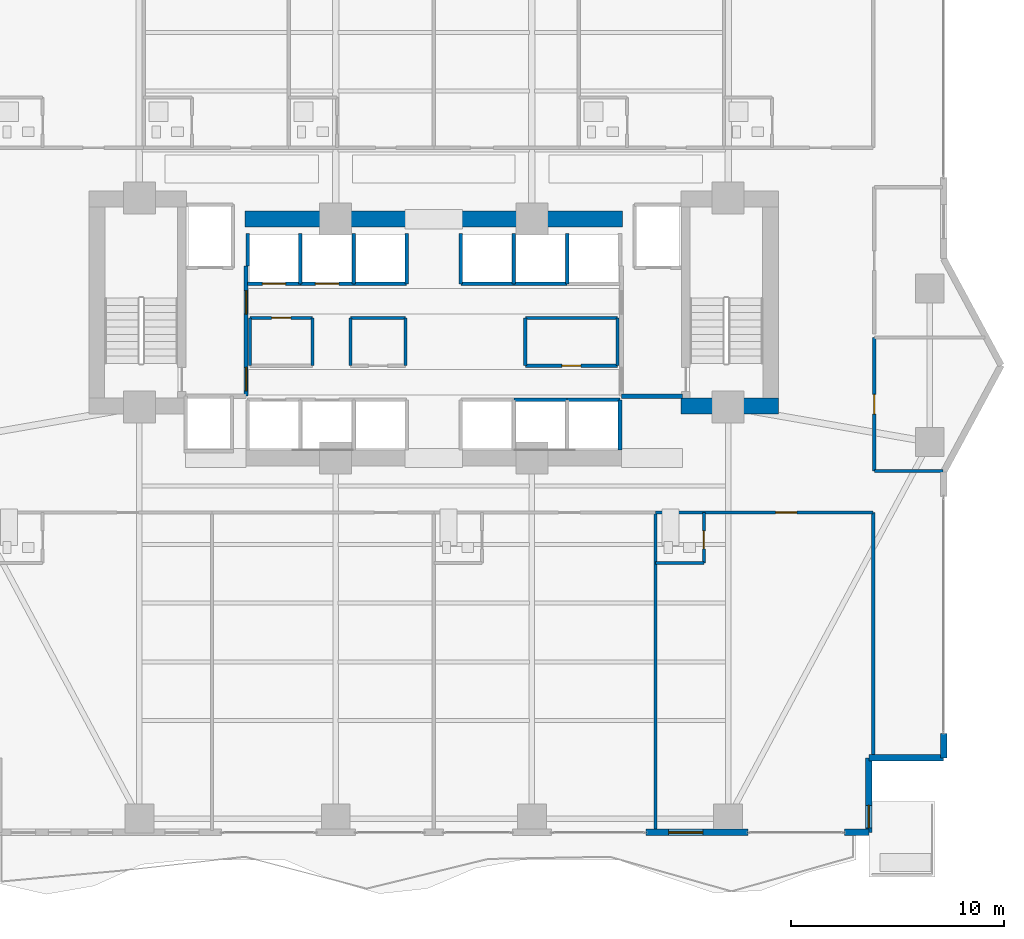
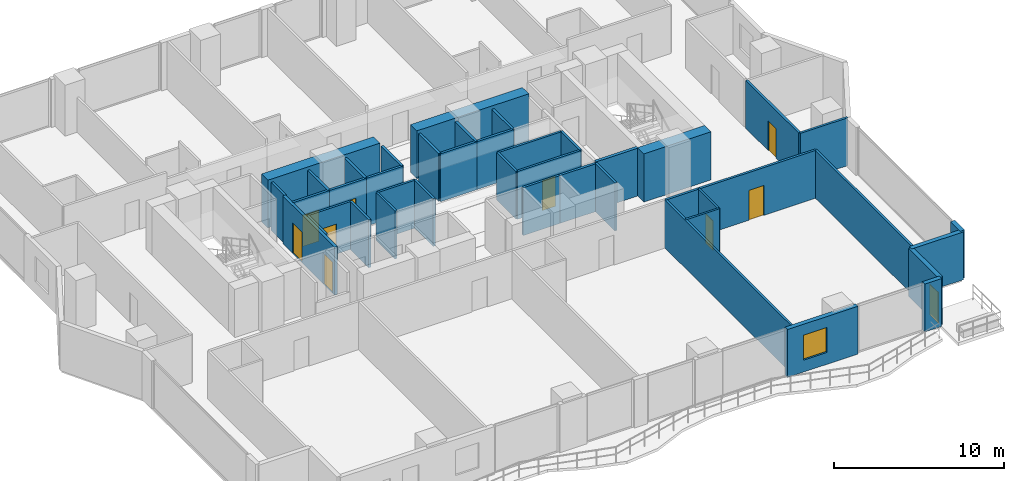
# One storey, part 22 of 29: 42 walls, 10 doors, 1 window, 11 openings.
"""IFC4 building model written with IfcOpenShell, lengths in metres."""

from ifc_helpers import new_model, si_unit, direction, frame, frame_2d, origin, place, context, subcontext, project, spatial, rectangle, extrude, material, layer, layer_set, type_object, element, fill, save


model = new_model("IFC4")

# Units and contexts
model_context = context("Model", 3, precision=1e-05, world=origin(), true_north=direction((0.0, 1.0)))
body_context = subcontext(model_context, "Body", "Model", "MODEL_VIEW")
ifc_project = project(units=[si_unit("LENGTHUNIT", "METRE"), si_unit("AREAUNIT", "SQUARE_METRE"), si_unit("VOLUMEUNIT", "CUBIC_METRE"), si_unit("PLANEANGLEUNIT", "RADIAN"), si_unit("MASSUNIT", "GRAM", prefix="KILO")], contexts=[model_context])

# Site, building, storey
site_placement = place(None, origin())
site = spatial("IfcSite", under=ifc_project, at=site_placement, CompositionType="ELEMENT")
building_placement = place(site_placement, origin())
building = spatial("IfcBuilding", under=site, at=building_placement, Name="Zuhayl Quay Hotel", CompositionType="ELEMENT")
storey_placement = place(building_placement, frame((0.0, 0.0, 132.14990234375)))
storey = spatial("IfcBuildingStorey", under=building, at=storey_placement, Name="L33", CompositionType="ELEMENT", Elevation=132.14990234375)

# Walls
ifc_material_1 = material(Name="Concrete C60/75", Category="concrete")
ifc_layer_1 = layer(ifc_material_1, 0.75, Name="Concrete C60/75", Category="concrete")
ifc_layer_set_1 = layer_set([ifc_layer_1], Name="Concrete C60/75")
wall_type_1 = type_object("IfcWallType", Name="WL_CORE_750", PredefinedType="SHEAR", material=ifc_layer_set_1)
wall_1_placement = place(storey_placement, frame((11.60009765625, 4.594970703125, 0.0), z_axis=(0.0, 0.0, 1.0), x_axis=(1.0, 0.0, 0.0)))
element("IfcWall", 1, at=wall_1_placement, inside=storey, type_object=wall_type_1, Name="L33 Core Shear Wall CW_SE", PredefinedType="SHEAR", context=body_context, shape_type="SweptSolid", body=[
    extrude(rectangle(XDim=4.559814453125, YDim=0.75, at=frame_2d((2.27978515625, 0.0))), origin(), (0.0, 0.0, 1.0), 3.460205078125),
])
for number, where, z_axis, x_axis, name in (
    (2, (-8.85009765625, 13.35009765625, 0.0), (0.0, 0.0, 1.0), (1.0, 0.0, 0.0), "L33 Core Shear Wall CW_NC_W"),
    (3, (1.25, 13.35009765625, 0.0), (0.0, 0.0, 1.0), (1.0, 0.0, 0.0), "L33 Core Shear Wall CW_NC_E"),
):
    element("IfcWall", number, at=place(storey_placement, frame(where, z_axis=z_axis, x_axis=x_axis)), inside=storey, type_object=wall_type_1, Name=name, PredefinedType="SHEAR", context=body_context, shape_type="SweptSolid", body=[
        extrude(rectangle(XDim=7.60009765625, YDim=0.75, at=frame_2d((3.800048828125, 0.0))), origin(), (0.0, 0.0, 1.0), 3.43017578125),
    ])
ifc_material_2 = material(Name="Precast concrete C45/55", Category="concrete")
ifc_layer_2 = layer(ifc_material_2, 0.300048828125, Name="Precast concrete C45/55", Category="concrete")
ifc_layer_set_2 = layer_set([ifc_layer_2], Name="Precast concrete C45/55")
wall_type_2 = type_object("IfcWallType", Name="WL_EXT_300", PredefinedType="STANDARD", material=ifc_layer_set_2)
wall_2_placement = place(storey_placement, frame((23.89990234375, -10.75, 0.0), z_axis=(0.0, 0.0, 1.0), x_axis=(0.0, -1.0, 0.0)))
element("IfcWall", 4, at=wall_2_placement, inside=storey, type_object=wall_type_2, Name="L33 Exterior Precast Wall ENV_L33_E14_EW2", PredefinedType="STANDARD", context=body_context, shape_type="SweptSolid", body=[
    extrude(rectangle(XDim=1.14990234375, YDim=0.300048828125, at=frame_2d((0.574951171875, 0.0))), origin(), (0.0, 0.0, 1.0), 3.43017578125),
])
wall_3_placement = place(storey_placement, frame((23.89990234375, -11.89990234375, 0.0), z_axis=(0.0, 0.0, 1.0), x_axis=(-1.0, 0.0, 0.0)))
element("IfcWall", 5, at=wall_3_placement, inside=storey, type_object=wall_type_2, Name="L33 Exterior Precast Wall ENV_L33_EW15", PredefinedType="STANDARD", context=body_context, shape_type="SweptSolid", body=[
    extrude(rectangle(XDim=3.5, YDim=0.300048828125, at=frame_2d((1.75, 0.0))), origin(), (0.0, 0.0, 1.0), 3.43017578125),
])

# Wall, opening, door
wall_4_placement = place(storey_placement, frame((20.39990234375, -11.89990234375, 0.0), z_axis=(0.0, 0.0, 1.0), x_axis=(0.0, -1.0, 0.0)))
wall_4 = element("IfcWall", 6, at=wall_4_placement, inside=storey, type_object=wall_type_2, Name="L33 Exterior Precast Wall ENV_L33_SP_SE", PredefinedType="STANDARD", context=body_context, shape_type="SweptSolid", body=[
    extrude(rectangle(XDim=3.5, YDim=0.300048828125, at=frame_2d((1.75, 0.0))), origin(), (0.0, 0.0, 1.0), 3.43017578125),
])
opening_1_placement = place(wall_4_placement, frame((2.22998046875, 0.0, 0.0)))
opening_1 = element("IfcOpeningElement", 7, at=opening_1_placement, cuts=wall_4, Name="Opening DG1", PredefinedType="OPENING", context=body_context, shape_type="SweptSolid", body=[
    extrude(rectangle(XDim=1.050048828125, YDim=2.199951171875, at=frame_2d((0.52490234375, 1.10009765625))), frame((0.0, 0.159912109375, 0.0), z_axis=(0.0, -1.0, 0.0), x_axis=(1.0, 0.0, 0.0)), (0.0, 0.0, 1.0), 0.320068359375),
])
ifc_material_3 = material(Name="Anodised Aluminium and Dark Solar Glass", Category="aluminium")
door_type_1 = type_object("IfcDoorType", Name="DR_EXT_TERR_1050", OperationType="NOTDEFINED", PredefinedType="DOOR", material=ifc_material_3)
door_1_placement = place(opening_1_placement, origin())
door_1 = element("IfcDoor", 8, at=door_1_placement, inside=storey, type_object=door_type_1, Name="L33 Spiral Sky-Terrace SE Access Door", OperationType="SINGLE_SWING_LEFT", OverallHeight=2.199951171875, OverallWidth=1.050048828125, PredefinedType="DOOR", context=body_context, shape_type="SweptSolid", body=[
    extrude(rectangle(XDim=1.050048828125, YDim=2.199951171875, at=frame_2d((0.52490234375, 1.10009765625))), frame((0.0, 0.02490234375, 0.0), z_axis=(0.0, -1.0, 0.0), x_axis=(1.0, 0.0, 0.0)), (0.0, 0.0, 1.0), 0.050048828125),
])
fill(opening_1, door_1)

# Wall
wall_5_placement = place(storey_placement, frame((20.39990234375, -15.39990234375, 0.0), z_axis=(0.0, 0.0, 1.0), x_axis=(-1.0, 0.0, 0.0)))
element("IfcWall", 9, at=wall_5_placement, inside=storey, type_object=wall_type_2, Name="L33 Exterior Precast Wall ENV_L33_S_EW1", PredefinedType="STANDARD", context=body_context, shape_type="SweptSolid", body=[
    extrude(rectangle(XDim=1.14990234375, YDim=0.300048828125, at=frame_2d((0.574951171875, 0.0))), origin(), (0.0, 0.0, 1.0), 3.43017578125),
])

# Wall, opening, window
wall_6_placement = place(storey_placement, frame((14.719970703125, -15.39990234375, 0.0), z_axis=(0.0, 0.0, 1.0), x_axis=(-1.0, 0.0, 0.0)))
wall_6 = element("IfcWall", 10, at=wall_6_placement, inside=storey, type_object=wall_type_2, Name="L33 Exterior Precast Wall ENV_L33_S_EW2", PredefinedType="STANDARD", context=body_context, shape_type="SweptSolid", body=[
    extrude(rectangle(XDim=4.77001953125, YDim=0.300048828125, at=frame_2d((2.385009765625, 0.0))), origin(), (0.0, 0.0, 1.0), 3.43017578125),
])
opening_2_placement = place(wall_6_placement, frame((2.110107421875, 0.0, 0.85009765625)))
opening_2 = element("IfcOpeningElement", 11, at=opening_2_placement, cuts=wall_6, Name="Opening W01", PredefinedType="OPENING", context=body_context, shape_type="SweptSolid", body=[
    extrude(rectangle(XDim=1.60009765625, YDim=1.800048828125, at=frame_2d((0.800048828125, 0.89990234375))), frame((0.0, 0.159912109375, 0.0), z_axis=(0.0, -1.0, 0.0), x_axis=(1.0, 0.0, 0.0)), (0.0, 0.0, 1.0), 0.320068359375),
])
ifc_material_4 = material(Name="Dark Ceramic-Fritted Solar Glass", Category="glass")
window_type = type_object("IfcWindowType", Name="WN_OPERABLE_1600", PartitioningType="DOUBLE_PANEL_VERTICAL", PredefinedType="WINDOW", material=ifc_material_4)
window_placement = place(opening_2_placement, origin())
window = element("IfcWindow", 12, at=window_placement, inside=storey, type_object=window_type, Name="L33 Operable Facade Window 2-1", OverallHeight=1.800048828125, OverallWidth=1.60009765625, PartitioningType="SINGLE_PANEL", PredefinedType="WINDOW", context=body_context, shape_type="SweptSolid", body=[
    extrude(rectangle(XDim=1.60009765625, YDim=1.800048828125, at=frame_2d((0.800048828125, 0.89990234375))), frame((0.0, 0.030029296875, 0.0), z_axis=(0.0, -1.0, 0.0), x_axis=(1.0, 0.0, 0.0)), (0.0, 0.0, 1.0), 0.06005859375),
])
fill(opening_2, window)

# Wall, opening, door
ifc_material_5 = material(Name="Acoustic Gypsum Partition STC-58")
ifc_layer_3 = layer(ifc_material_5, 0.14990234375, Name="Acoustic Gypsum Partition STC-58")
ifc_layer_set_3 = layer_set([ifc_layer_3], Name="Acoustic Gypsum Partition STC-58")
wall_type_3 = type_object("IfcWallType", Name="WL_PART_150", PredefinedType="PARTITIONING", material=ifc_layer_set_3)
wall_7_placement = place(storey_placement, frame((-8.610107421875, 8.719970703125, 0.0), z_axis=(0.0, 0.0, 1.0), x_axis=(1.0, 0.0, 0.0)))
wall_7 = element("IfcWall", 13, at=wall_7_placement, inside=storey, type_object=wall_type_3, Name="L33 Partition IW_L33_CORE_HK_N", PredefinedType="PARTITIONING", context=body_context, shape_type="SweptSolid", body=[
    extrude(rectangle(XDim=2.920166015625, YDim=0.14990234375, at=frame_2d((1.4599609375, 0.0))), origin(), (0.0, 0.0, 1.0), 3.43017578125),
])
opening_3_placement = place(wall_7_placement, frame((1.010009765625, 0.0, 0.0)))
opening_3 = element("IfcOpeningElement", 14, at=opening_3_placement, cuts=wall_7, Name="Opening D06", PredefinedType="OPENING", context=body_context, shape_type="SweptSolid", body=[
    extrude(rectangle(XDim=0.89990234375, YDim=2.14990234375, at=frame_2d((0.449951171875, 1.074951171875))), frame((0.0, 0.0849609375, 0.0), z_axis=(0.0, -1.0, 0.0), x_axis=(1.0, 0.0, 0.0)), (0.0, 0.0, 1.0), 0.169921875),
])
ifc_material_6 = material(Name="Steel ASTM A992 Grade 50", Category="steel")
door_type_2 = type_object("IfcDoorType", Name="DR_INT_900", OperationType="NOTDEFINED", PredefinedType="DOOR", material=ifc_material_6)
door_2_placement = place(opening_3_placement, origin())
door_2 = element("IfcDoor", 15, at=door_2_placement, inside=storey, type_object=door_type_2, Name="L33 Core Housekeeping Store Door", OperationType="SINGLE_SWING_RIGHT", OverallHeight=2.14990234375, OverallWidth=0.89990234375, PredefinedType="DOOR", context=body_context, shape_type="SweptSolid", body=[
    extrude(rectangle(XDim=0.89990234375, YDim=2.14990234375, at=frame_2d((0.449951171875, 1.074951171875))), frame((0.0, 0.02490234375, 0.0), z_axis=(0.0, -1.0, 0.0), x_axis=(1.0, 0.0, 0.0)), (0.0, 0.0, 1.0), 0.050048828125),
])
fill(opening_3, door_2)

wall_8_placement = place(storey_placement, frame((4.2900390625, 6.47998046875, 0.0), z_axis=(0.0, 0.0, 1.0), x_axis=(1.0, 0.0, 0.0)))
wall_8 = element("IfcWall", 16, at=wall_8_placement, inside=storey, type_object=wall_type_3, Name="L33 Partition IW_L33_CORE_VL_S", PredefinedType="PARTITIONING", context=body_context, shape_type="SweptSolid", body=[
    extrude(rectangle(XDim=4.320068359375, YDim=0.14990234375, at=frame_2d((2.16015625, 0.0))), origin(), (0.0, 0.0, 1.0), 3.43017578125),
])
opening_4_placement = place(wall_8_placement, frame((1.7099609375, 0.0, 0.0)))
opening_4 = element("IfcOpeningElement", 17, at=opening_4_placement, cuts=wall_8, Name="Opening D06", PredefinedType="OPENING", context=body_context, shape_type="SweptSolid", body=[
    extrude(rectangle(XDim=0.89990234375, YDim=2.14990234375, at=frame_2d((0.449951171875, 1.074951171875))), frame((0.0, 0.0849609375, 0.0), z_axis=(0.0, -1.0, 0.0), x_axis=(1.0, 0.0, 0.0)), (0.0, 0.0, 1.0), 0.169921875),
])
door_3_placement = place(opening_4_placement, origin())
door_3 = element("IfcDoor", 18, at=door_3_placement, inside=storey, type_object=door_type_2, Name="L33 Floor Valet Store Door", OperationType="SINGLE_SWING_RIGHT", OverallHeight=2.14990234375, OverallWidth=0.89990234375, PredefinedType="DOOR", context=body_context, shape_type="SweptSolid", body=[
    extrude(rectangle(XDim=0.89990234375, YDim=2.14990234375, at=frame_2d((0.449951171875, 1.074951171875))), frame((0.0, 0.02490234375, 0.0), z_axis=(0.0, -1.0, 0.0), x_axis=(1.0, 0.0, 0.0)), (0.0, 0.0, 1.0), 0.050048828125),
])
fill(opening_4, door_3)

# Walls
for number, where, z_axis, x_axis, name in (
    (19, (-8.610107421875, 6.47998046875, 0.0), (0.0, 0.0, 1.0), (0.0, 1.0, 0.0), "L33 Partition IW_L33_CORE_HK_W"),
    (20, (-5.68994140625, 6.47998046875, 0.0), (0.0, 0.0, 1.0), (0.0, 1.0, 0.0), "L33 Partition IW_L33_CORE_HK_E"),
):
    element("IfcWall", number, at=place(storey_placement, frame(where, z_axis=z_axis, x_axis=x_axis)), inside=storey, type_object=wall_type_3, Name=name, PredefinedType="PARTITIONING", context=body_context, shape_type="SweptSolid", body=[
        extrude(rectangle(XDim=2.239990234375, YDim=0.14990234375, at=frame_2d((1.1201171875, 0.0))), origin(), (0.0, 0.0, 1.0), 3.43017578125),
    ])
wall_9_placement = place(storey_placement, frame((-3.909912109375, 8.719970703125, 0.0), z_axis=(0.0, 0.0, 1.0), x_axis=(1.0, 0.0, 0.0)))
element("IfcWall", 21, at=wall_9_placement, inside=storey, type_object=wall_type_3, Name="L33 Partition IW_L33_CORE_BC_N", PredefinedType="PARTITIONING", context=body_context, shape_type="SweptSolid", body=[
    extrude(rectangle(XDim=2.58984375, YDim=0.14990234375, at=frame_2d((1.294921875, 0.0))), origin(), (0.0, 0.0, 1.0), 3.43017578125),
])
for number, where, z_axis, x_axis, name in (
    (22, (-3.909912109375, 6.47998046875, 0.0), (0.0, 0.0, 1.0), (0.0, 1.0, 0.0), "L33 Partition IW_L33_CORE_BC_W"),
    (23, (-1.320068359375, 6.47998046875, 0.0), (0.0, 0.0, 1.0), (0.0, 1.0, 0.0), "L33 Partition IW_L33_CORE_BC_E"),
):
    element("IfcWall", number, at=place(storey_placement, frame(where, z_axis=z_axis, x_axis=x_axis)), inside=storey, type_object=wall_type_3, Name=name, PredefinedType="PARTITIONING", context=body_context, shape_type="SweptSolid", body=[
        extrude(rectangle(XDim=2.239990234375, YDim=0.14990234375, at=frame_2d((1.1201171875, 0.0))), origin(), (0.0, 0.0, 1.0), 3.43017578125),
    ])
wall_10_placement = place(storey_placement, frame((4.2900390625, 8.719970703125, 0.0), z_axis=(0.0, 0.0, 1.0), x_axis=(1.0, 0.0, 0.0)))
element("IfcWall", 24, at=wall_10_placement, inside=storey, type_object=wall_type_3, Name="L33 Partition IW_L33_CORE_VL_N", PredefinedType="PARTITIONING", context=body_context, shape_type="SweptSolid", body=[
    extrude(rectangle(XDim=4.320068359375, YDim=0.14990234375, at=frame_2d((2.16015625, 0.0))), origin(), (0.0, 0.0, 1.0), 3.43017578125),
])
for number, where, z_axis, x_axis, name in (
    (25, (4.2900390625, 6.47998046875, 0.0), (0.0, 0.0, 1.0), (0.0, 1.0, 0.0), "L33 Partition IW_L33_CORE_VL_W"),
    (26, (8.610107421875, 6.47998046875, 0.0), (0.0, 0.0, 1.0), (0.0, 1.0, 0.0), "L33 Partition IW_L33_CORE_VL_E"),
):
    element("IfcWall", number, at=place(storey_placement, frame(where, z_axis=z_axis, x_axis=x_axis)), inside=storey, type_object=wall_type_3, Name=name, PredefinedType="PARTITIONING", context=body_context, shape_type="SweptSolid", body=[
        extrude(rectangle(XDim=2.239990234375, YDim=0.14990234375, at=frame_2d((1.1201171875, 0.0))), origin(), (0.0, 0.0, 1.0), 3.43017578125),
    ])
wall_11_placement = place(storey_placement, frame((10.39990234375, -15.320068359375, 0.0), z_axis=(0.0, 0.0, 1.0), x_axis=(0.0, 1.0, 0.0)))
element("IfcWall", 27, at=wall_11_placement, inside=storey, type_object=wall_type_3, Name="L33 Partition IW_L33_SU03_E", PredefinedType="PARTITIONING", context=body_context, shape_type="SweptSolid", body=[
    extrude(rectangle(XDim=14.920166015625, YDim=0.14990234375, at=frame_2d((7.4599609375, 0.0))), origin(), (0.0, 0.0, 1.0), 3.43017578125),
])
wall_12_placement = place(storey_placement, frame((20.60009765625, -11.89990234375, 0.0), z_axis=(0.0, 0.0, 1.0), x_axis=(0.0, 1.0, 0.0)))
element("IfcWall", 28, at=wall_12_placement, inside=storey, type_object=wall_type_3, Name="L33 Partition IW_L33_SU04_E", PredefinedType="PARTITIONING", context=body_context, shape_type="SweptSolid", body=[
    extrude(rectangle(XDim=11.5, YDim=0.14990234375, at=frame_2d((5.75, 0.0))), origin(), (0.0, 0.0, 1.0), 3.43017578125),
])
wall_13_placement = place(storey_placement, frame((20.64990234375, 1.550048828125, 0.0), z_axis=(0.0, 0.0, 1.0), x_axis=(1.0, 0.0, 0.0)))
element("IfcWall", 29, at=wall_13_placement, inside=storey, type_object=wall_type_3, Name="L33 Partition IW_L33_HK_MAIN_S", PredefinedType="PARTITIONING", context=body_context, shape_type="SweptSolid", body=[
    extrude(rectangle(XDim=3.217041015625, YDim=0.14990234375, at=frame_2d((1.6083984375, 0.0))), origin(), (0.0, 0.0, 1.0), 3.43017578125),
])

# Wall, opening, door
ifc_layer_4 = layer(ifc_material_5, 0.159912109375, Name="Acoustic Gypsum Partition STC-58")
ifc_layer_set_4 = layer_set([ifc_layer_4], Name="Acoustic Gypsum Partition STC-58")
wall_type_4 = type_object("IfcWallType", Name="WL_PART_CORR_160", PredefinedType="PARTITIONING", material=ifc_layer_set_4)
wall_14_placement = place(storey_placement, frame((10.39990234375, -0.39990234375, 0.0), z_axis=(0.0, 0.0, 1.0), x_axis=(1.0, 0.0, 0.0)))
wall_14 = element("IfcWall", 30, at=wall_14_placement, inside=storey, type_object=wall_type_4, Name="L33 Partition IW_L33_SU04_COR", PredefinedType="PARTITIONING", context=body_context, shape_type="SweptSolid", body=[
    extrude(rectangle(XDim=10.2001953125, YDim=0.159912109375, at=frame_2d((5.10009765625, 0.0))), origin(), (0.0, 0.0, 1.0), 3.43017578125),
])
opening_5_placement = place(wall_14_placement, frame((5.625, 0.0, 0.0)))
opening_5 = element("IfcOpeningElement", 31, at=opening_5_placement, cuts=wall_14, Name="Opening D03L", PredefinedType="OPENING", context=body_context, shape_type="SweptSolid", body=[
    extrude(rectangle(XDim=1.0, YDim=2.14990234375, at=frame_2d((0.5, 1.074951171875))), frame((0.0, 0.08984375, 0.0), z_axis=(0.0, -1.0, 0.0), x_axis=(1.0, 0.0, 0.0)), (0.0, 0.0, 1.0), 0.179931640625),
])
ifc_material_7 = material(Name="Solid Walnut Acoustic Fire Door")
door_type_3 = type_object("IfcDoorType", Name="DR_SUITE_1000", OperationType="NOTDEFINED", PredefinedType="DOOR", material=ifc_material_7)
door_4_placement = place(opening_5_placement, origin())
door_4 = element("IfcDoor", 32, at=door_4_placement, inside=storey, type_object=door_type_3, Name="L33 City-View Junior Suite L33-04 Entrance Door", OperationType="SINGLE_SWING_RIGHT", OverallHeight=2.14990234375, OverallWidth=1.0, PredefinedType="DOOR", context=body_context, shape_type="SweptSolid", body=[
    extrude(rectangle(XDim=1.0, YDim=2.14990234375, at=frame_2d((0.5, 1.074951171875))), frame((0.0, 0.02490234375, 0.0), z_axis=(0.0, -1.0, 0.0), x_axis=(1.0, 0.0, 0.0)), (0.0, 0.0, 1.0), 0.050048828125),
])
fill(opening_5, door_4)

wall_15_placement = place(storey_placement, frame((20.64990234375, 1.550048828125, 0.0), z_axis=(0.0, 0.0, 1.0), x_axis=(0.0, 1.0, 0.0)))
wall_15 = element("IfcWall", 33, at=wall_15_placement, inside=storey, type_object=wall_type_4, Name="L33 Partition IW_L33_HK_MAIN_W", PredefinedType="PARTITIONING", context=body_context, shape_type="SweptSolid", body=[
    extrude(rectangle(XDim=6.25, YDim=0.159912109375, at=frame_2d((3.125, 0.0))), origin(), (0.0, 0.0, 1.0), 3.43017578125),
])
opening_6_placement = place(wall_15_placement, frame((2.6650390625, 0.0, 0.0)))
opening_6 = element("IfcOpeningElement", 34, at=opening_6_placement, cuts=wall_15, Name="Opening D05", PredefinedType="OPENING", context=body_context, shape_type="SweptSolid", body=[
    extrude(rectangle(XDim=0.919921875, YDim=2.1201171875, at=frame_2d((0.4599609375, 1.06005859375))), frame((0.0, 0.08984375, 0.0), z_axis=(0.0, -1.0, 0.0), x_axis=(1.0, 0.0, 0.0)), (0.0, 0.0, 1.0), 0.179931640625),
])
door_type_4 = type_object("IfcDoorType", Name="DR_INT_950", OperationType="NOTDEFINED", PredefinedType="DOOR", material=ifc_material_7)
door_5_placement = place(opening_6_placement, origin())
door_5 = element("IfcDoor", 35, at=door_5_placement, inside=storey, type_object=door_type_4, Name="L33 Housekeeping and Linen Room Door", OperationType="SINGLE_SWING_LEFT", OverallHeight=2.1201171875, OverallWidth=0.919921875, PredefinedType="DOOR", context=body_context, shape_type="SweptSolid", body=[
    extrude(rectangle(XDim=0.919921875, YDim=2.1201171875, at=frame_2d((0.4599609375, 1.06005859375))), frame((0.0, 0.02490234375, 0.0), z_axis=(0.0, -1.0, 0.0), x_axis=(1.0, 0.0, 0.0)), (0.0, 0.0, 1.0), 0.050048828125),
])
fill(opening_6, door_5)

ifc_material_8 = material(Name="Moisture-Resistant Sanitarychase Gypsum")
ifc_layer_5 = layer(ifc_material_8, 0.135009765625, Name="Moisture-Resistant Sanitarychase Gypsum")
ifc_layer_set_5 = layer_set([ifc_layer_5], Name="Moisture-Resistant Sanitarychase Gypsum")
wall_type_5 = type_object("IfcWallType", Name="WL_PART_PLUMB_150", PredefinedType="PLUMBINGWALL", material=ifc_layer_set_5)
wall_16_placement = place(storey_placement, frame((12.659912109375, -2.760009765625, 0.0), z_axis=(0.0, 0.0, 1.0), x_axis=(0.0, 1.0, 0.0)))
wall_16 = element("IfcWall", 36, at=wall_16_placement, inside=storey, type_object=wall_type_5, Name="L33 Partition IW_L33_SU04_BE", PredefinedType="PLUMBINGWALL", context=body_context, shape_type="SweptSolid", body=[
    extrude(rectangle(XDim=2.360107421875, YDim=0.135009765625, at=frame_2d((1.18017578125, 0.0))), origin(), (0.0, 0.0, 1.0), 3.43017578125),
])
opening_7_placement = place(wall_16_placement, frame((0.64990234375, 0.0, 0.0)))
opening_7 = element("IfcOpeningElement", 37, at=opening_7_placement, cuts=wall_16, Name="Opening D04", PredefinedType="OPENING", context=body_context, shape_type="SweptSolid", body=[
    extrude(rectangle(XDim=0.85009765625, YDim=2.10009765625, at=frame_2d((0.425048828125, 1.050048828125))), frame((0.0, 0.077392578125, 0.0), z_axis=(0.0, -1.0, 0.0), x_axis=(1.0, 0.0, 0.0)), (0.0, 0.0, 1.0), 0.155029296875),
])
ifc_material_9 = material(Name="Moisture-Resistant Walnut Veneer")
door_type_5 = type_object("IfcDoorType", Name="DR_BATH_850", OperationType="NOTDEFINED", PredefinedType="DOOR", material=ifc_material_9)
door_6_placement = place(opening_7_placement, origin())
door_6 = element("IfcDoor", 38, at=door_6_placement, inside=storey, type_object=door_type_5, Name="L33 City-View Junior Suite L33-04 En-Suite Door", OperationType="SINGLE_SWING_LEFT", OverallHeight=2.10009765625, OverallWidth=0.85009765625, PredefinedType="DOOR", context=body_context, shape_type="SweptSolid", body=[
    extrude(rectangle(XDim=0.85009765625, YDim=2.10009765625, at=frame_2d((0.425048828125, 1.050048828125))), frame((0.0, 0.02490234375, 0.0), z_axis=(0.0, -1.0, 0.0), x_axis=(1.0, 0.0, 0.0)), (0.0, 0.0, 1.0), 0.050048828125),
])
fill(opening_7, door_6)

# Wall
wall_17_placement = place(storey_placement, frame((10.39990234375, -2.760009765625, 0.0), z_axis=(0.0, 0.0, 1.0), x_axis=(1.0, 0.0, 0.0)))
element("IfcWall", 39, at=wall_17_placement, inside=storey, type_object=wall_type_5, Name="L33 Partition IW_L33_SU04_BS", PredefinedType="PLUMBINGWALL", context=body_context, shape_type="SweptSolid", body=[
    extrude(rectangle(XDim=2.260009765625, YDim=0.135009765625, at=frame_2d((1.1298828125, 0.0))), origin(), (0.0, 0.0, 1.0), 3.43017578125),
])

# Wall, opening, door
ifc_material_10 = material(Name="Gypsum Fireboard Assembly EI-90")
ifc_layer_6 = layer(ifc_material_10, 0.1650390625, Name="Gypsum Fireboard Assembly EI-90")
ifc_layer_set_6 = layer_set([ifc_layer_6], Name="Gypsum Fireboard Assembly EI-90")
wall_type_6 = type_object("IfcWallType", Name="WL_PART_SHAFT_160", PredefinedType="PARTITIONING", material=ifc_layer_set_6)
wall_18_placement = place(storey_placement, frame((-8.72998046875, 10.320068359375, 0.0), z_axis=(0.0, 0.0, 1.0), x_axis=(1.0, 0.0, 0.0)))
wall_18 = element("IfcWall", 40, at=wall_18_placement, inside=storey, type_object=wall_type_6, Name="L33 Partition IW_L33_SH_LP3_F", PredefinedType="PARTITIONING", context=body_context, shape_type="SweptSolid", body=[
    extrude(rectangle(XDim=2.47998046875, YDim=0.1650390625, at=frame_2d((1.239990234375, 0.0))), origin(), (0.0, 0.0, 1.0), 3.43017578125),
])
opening_8_placement = place(wall_18_placement, frame((0.68994140625, 0.0, 0.0)))
opening_8 = element("IfcOpeningElement", 41, at=opening_8_placement, cuts=wall_18, Name="Opening LD1", PredefinedType="OPENING", context=body_context, shape_type="SweptSolid", body=[
    extrude(rectangle(XDim=1.10009765625, YDim=2.25, at=frame_2d((0.550048828125, 1.125))), frame((0.0, 0.092529296875, 0.0), z_axis=(0.0, -1.0, 0.0), x_axis=(1.0, 0.0, 0.0)), (0.0, 0.0, 1.0), 0.18505859375),
])
ifc_material_11 = material(Name="Brushed Stainless Steel", Category="steel")
door_type_6 = type_object("IfcDoorType", Name="DR_LIFT_PASS_1100", OperationType="SLIDING_TO_LEFT", PredefinedType="DOOR", material=ifc_material_11)
door_7_placement = place(opening_8_placement, origin())
door_7 = element("IfcDoor", 42, at=door_7_placement, inside=storey, type_object=door_type_6, Name="L33 Lift LP3 Sliding Landing Door", OperationType="SLIDING_TO_LEFT", OverallHeight=2.25, OverallWidth=1.10009765625, PredefinedType="DOOR", context=body_context, shape_type="SweptSolid", body=[
    extrude(rectangle(XDim=1.10009765625, YDim=2.25, at=frame_2d((0.550048828125, 1.125))), frame((0.0, 0.02490234375, 0.0), z_axis=(0.0, -1.0, 0.0), x_axis=(1.0, 0.0, 0.0)), (0.0, 0.0, 1.0), 0.050048828125),
])
fill(opening_8, door_7)

wall_19_placement = place(storey_placement, frame((-6.25, 10.320068359375, 0.0), z_axis=(0.0, 0.0, 1.0), x_axis=(1.0, 0.0, 0.0)))
wall_19 = element("IfcWall", 43, at=wall_19_placement, inside=storey, type_object=wall_type_6, Name="L33 Partition IW_L33_SH_LP4_F", PredefinedType="PARTITIONING", context=body_context, shape_type="SweptSolid", body=[
    extrude(rectangle(XDim=2.5, YDim=0.1650390625, at=frame_2d((1.25, 0.0))), origin(), (0.0, 0.0, 1.0), 3.43017578125),
])
opening_9_placement = place(wall_19_placement, frame((0.699951171875, 0.0, 0.0)))
opening_9 = element("IfcOpeningElement", 44, at=opening_9_placement, cuts=wall_19, Name="Opening LD1", PredefinedType="OPENING", context=body_context, shape_type="SweptSolid", body=[
    extrude(rectangle(XDim=1.10009765625, YDim=2.25, at=frame_2d((0.550048828125, 1.125))), frame((0.0, 0.092529296875, 0.0), z_axis=(0.0, -1.0, 0.0), x_axis=(1.0, 0.0, 0.0)), (0.0, 0.0, 1.0), 0.18505859375),
])
door_8_placement = place(opening_9_placement, origin())
door_8 = element("IfcDoor", 45, at=door_8_placement, inside=storey, type_object=door_type_6, Name="L33 Lift LP4 Sliding Landing Door", OperationType="SLIDING_TO_LEFT", OverallHeight=2.25, OverallWidth=1.10009765625, PredefinedType="DOOR", context=body_context, shape_type="SweptSolid", body=[
    extrude(rectangle(XDim=1.10009765625, YDim=2.25, at=frame_2d((0.550048828125, 1.125))), frame((0.0, 0.02490234375, 0.0), z_axis=(0.0, -1.0, 0.0), x_axis=(1.0, 0.0, 0.0)), (0.0, 0.0, 1.0), 0.050048828125),
])
fill(opening_9, door_8)

# Walls
wall_20_placement = place(storey_placement, frame((-8.72998046875, 11.14990234375, 0.0), z_axis=(0.0, 0.0, 1.0), x_axis=(0.0, 1.0, 0.0)))
element("IfcWall", 46, at=wall_20_placement, inside=storey, type_object=wall_type_6, Name="L33 Partition IW_L33_SH_LP3_W", PredefinedType="PARTITIONING", context=body_context, shape_type="SweptSolid", body=[
    extrude(rectangle(XDim=1.530029296875, YDim=0.1650390625, at=frame_2d((0.76513671875, 0.0))), origin(), (0.0, 0.0, 1.0), 3.43017578125),
])
for number, where, z_axis, x_axis, name in (
    (47, (-6.25, 10.320068359375, 0.0), (0.0, 0.0, 1.0), (0.0, 1.0, 0.0), "L33 Partition IW_L33_SH_LP3_E"),
    (48, (-3.75, 10.320068359375, 0.0), (0.0, 0.0, 1.0), (0.0, 1.0, 0.0), "L33 Partition IW_L33_SH_LP4_E"),
):
    element("IfcWall", number, at=place(storey_placement, frame(where, z_axis=z_axis, x_axis=x_axis)), inside=storey, type_object=wall_type_6, Name=name, PredefinedType="PARTITIONING", context=body_context, shape_type="SweptSolid", body=[
        extrude(rectangle(XDim=2.35986328125, YDim=0.1650390625, at=frame_2d((1.179931640625, 0.0))), origin(), (0.0, 0.0, 1.0), 3.43017578125),
    ])
wall_21_placement = place(storey_placement, frame((-3.75, 10.320068359375, 0.0), z_axis=(0.0, 0.0, 1.0), x_axis=(1.0, 0.0, 0.0)))
element("IfcWall", 49, at=wall_21_placement, inside=storey, type_object=wall_type_6, Name="L33 Partition IW_L33_SH_MP3_F", PredefinedType="PARTITIONING", context=body_context, shape_type="SweptSolid", body=[
    extrude(rectangle(XDim=2.47998046875, YDim=0.1650390625, at=frame_2d((1.239990234375, 0.0))), origin(), (0.0, 0.0, 1.0), 3.43017578125),
])
wall_22_placement = place(storey_placement, frame((-1.27001953125, 10.320068359375, 0.0), z_axis=(0.0, 0.0, 1.0), x_axis=(0.0, 1.0, 0.0)))
element("IfcWall", 50, at=wall_22_placement, inside=storey, type_object=wall_type_6, Name="L33 Partition IW_L33_SH_MP3_E", PredefinedType="PARTITIONING", context=body_context, shape_type="SweptSolid", body=[
    extrude(rectangle(XDim=2.35986328125, YDim=0.1650390625, at=frame_2d((1.179931640625, 0.0))), origin(), (0.0, 0.0, 1.0), 3.43017578125),
])
wall_23_placement = place(storey_placement, frame((1.27001953125, 10.320068359375, 0.0), z_axis=(0.0, 0.0, 1.0), x_axis=(1.0, 0.0, 0.0)))
element("IfcWall", 51, at=wall_23_placement, inside=storey, type_object=wall_type_6, Name="L33 Partition IW_L33_SH_MP4_F", PredefinedType="PARTITIONING", context=body_context, shape_type="SweptSolid", body=[
    extrude(rectangle(XDim=2.47998046875, YDim=0.1650390625, at=frame_2d((1.239990234375, 0.0))), origin(), (0.0, 0.0, 1.0), 3.43017578125),
])
for number, where, z_axis, x_axis, name in (
    (52, (1.27001953125, 10.320068359375, 0.0), (0.0, 0.0, 1.0), (0.0, 1.0, 0.0), "L33 Partition IW_L33_SH_MP4_W"),
    (53, (3.75, 10.320068359375, 0.0), (0.0, 0.0, 1.0), (0.0, 1.0, 0.0), "L33 Partition IW_L33_SH_MP4_E"),
):
    element("IfcWall", number, at=place(storey_placement, frame(where, z_axis=z_axis, x_axis=x_axis)), inside=storey, type_object=wall_type_6, Name=name, PredefinedType="PARTITIONING", context=body_context, shape_type="SweptSolid", body=[
        extrude(rectangle(XDim=2.35986328125, YDim=0.1650390625, at=frame_2d((1.179931640625, 0.0))), origin(), (0.0, 0.0, 1.0), 3.43017578125),
    ])
wall_24_placement = place(storey_placement, frame((3.75, 4.8798828125, 0.0), z_axis=(0.0, 0.0, 1.0), x_axis=(1.0, 0.0, 0.0)))
element("IfcWall", 54, at=wall_24_placement, inside=storey, type_object=wall_type_6, Name="L33 Partition IW_L33_SH_HP1_F", PredefinedType="PARTITIONING", context=body_context, shape_type="SweptSolid", body=[
    extrude(rectangle(XDim=2.5, YDim=0.1650390625, at=frame_2d((1.25, 0.0))), origin(), (0.0, 0.0, 1.0), 3.43017578125),
])
wall_25_placement = place(storey_placement, frame((6.25, 4.8798828125, 0.0), z_axis=(0.0, 0.0, 1.0), x_axis=(1.0, 0.0, 0.0)))
element("IfcWall", 55, at=wall_25_placement, inside=storey, type_object=wall_type_6, Name="L33 Partition IW_L33_SH_HP2_F", PredefinedType="PARTITIONING", context=body_context, shape_type="SweptSolid", body=[
    extrude(rectangle(XDim=2.47998046875, YDim=0.1650390625, at=frame_2d((1.239990234375, 0.0))), origin(), (0.0, 0.0, 1.0), 3.43017578125),
])
wall_26_placement = place(storey_placement, frame((8.72998046875, 2.52001953125, 0.0), z_axis=(0.0, 0.0, 1.0), x_axis=(0.0, 1.0, 0.0)))
element("IfcWall", 56, at=wall_26_placement, inside=storey, type_object=wall_type_6, Name="L33 Partition IW_L33_SH_HP2_E", PredefinedType="PARTITIONING", context=body_context, shape_type="SweptSolid", body=[
    extrude(rectangle(XDim=2.35986328125, YDim=0.1650390625, at=frame_2d((1.179931640625, 0.0))), origin(), (0.0, 0.0, 1.0), 3.43017578125),
])
wall_27_placement = place(storey_placement, frame((3.75, 10.320068359375, 0.0), z_axis=(0.0, 0.0, 1.0), x_axis=(1.0, 0.0, 0.0)))
element("IfcWall", 57, at=wall_27_placement, inside=storey, type_object=wall_type_6, Name="L33 Partition IW_L33_SH_HP3_F", PredefinedType="PARTITIONING", context=body_context, shape_type="SweptSolid", body=[
    extrude(rectangle(XDim=2.5, YDim=0.1650390625, at=frame_2d((1.25, 0.0))), origin(), (0.0, 0.0, 1.0), 3.43017578125),
])
wall_28_placement = place(storey_placement, frame((6.25, 10.320068359375, 0.0), z_axis=(0.0, 0.0, 1.0), x_axis=(0.0, 1.0, 0.0)))
element("IfcWall", 58, at=wall_28_placement, inside=storey, type_object=wall_type_6, Name="L33 Partition IW_L33_SH_HP3_E", PredefinedType="PARTITIONING", context=body_context, shape_type="SweptSolid", body=[
    extrude(rectangle(XDim=2.35986328125, YDim=0.1650390625, at=frame_2d((1.179931640625, 0.0))), origin(), (0.0, 0.0, 1.0), 3.43017578125),
])

# Wall, openings, doors
ifc_material_12 = material(Name="Gypsum Fireboard Assembly EI-120")
ifc_layer_7 = layer(ifc_material_12, 0.199951171875, Name="Gypsum Fireboard Assembly EI-120")
ifc_layer_set_7 = layer_set([ifc_layer_7], Name="Gypsum Fireboard Assembly EI-120")
wall_type_7 = type_object("IfcWallType", Name="WL_PART_SHAFT_200", PredefinedType="PARTITIONING", material=ifc_layer_set_7)
wall_29_placement = place(storey_placement, frame((-8.800048828125, 5.050048828125, 0.0), z_axis=(0.0, 0.0, 1.0), x_axis=(0.0, 1.0, 0.0)))
wall_29 = element("IfcWall", 59, at=wall_29_placement, inside=storey, type_object=wall_type_7, Name="L33 Partition IW_L33_FSAE_W_E", PredefinedType="PARTITIONING", context=body_context, shape_type="SweptSolid", body=[
    extrude(rectangle(XDim=6.099853515625, YDim=0.199951171875, at=frame_2d((3.0498046875, 0.0))), origin(), (0.0, 0.0, 1.0), 3.43017578125),
])
opening_10_placement = place(wall_29_placement, frame((0.25, 0.0, 0.0)))
opening_10 = element("IfcOpeningElement", 60, at=opening_10_placement, cuts=wall_29, Name="Opening D02", PredefinedType="OPENING", context=body_context, shape_type="SweptSolid", body=[
    extrude(rectangle(XDim=1.10009765625, YDim=2.199951171875, at=frame_2d((0.550048828125, 1.10009765625))), frame((0.0, 0.10986328125, 0.0), z_axis=(0.0, -1.0, 0.0), x_axis=(1.0, 0.0, 0.0)), (0.0, 0.0, 1.0), 0.219970703125),
])
opening_11_placement = place(wall_29_placement, frame((3.85009765625, 0.0, 0.0)))
opening_11 = element("IfcOpeningElement", 61, at=opening_11_placement, cuts=wall_29, Name="Opening D02", PredefinedType="OPENING", context=body_context, shape_type="SweptSolid", body=[
    extrude(rectangle(XDim=1.10009765625, YDim=2.199951171875, at=frame_2d((0.550048828125, 1.10009765625))), frame((0.0, 0.10986328125, 0.0), z_axis=(0.0, -1.0, 0.0), x_axis=(1.0, 0.0, 0.0)), (0.0, 0.0, 1.0), 0.219970703125),
])
door_type_7 = type_object("IfcDoorType", Name="DR_FIRE_90_1100", OperationType="NOTDEFINED", PredefinedType="DOOR", material=ifc_material_6)
door_9_placement = place(opening_10_placement, origin())
door_9 = element("IfcDoor", 62, at=door_9_placement, inside=storey, type_object=door_type_7, Name="L33 FSAE Lobby West South Entry Door", OperationType="SINGLE_SWING_RIGHT", OverallHeight=2.199951171875, OverallWidth=1.10009765625, PredefinedType="DOOR", context=body_context, shape_type="SweptSolid", body=[
    extrude(rectangle(XDim=1.10009765625, YDim=2.199951171875, at=frame_2d((0.550048828125, 1.10009765625))), frame((0.0, 0.02490234375, 0.0), z_axis=(0.0, -1.0, 0.0), x_axis=(1.0, 0.0, 0.0)), (0.0, 0.0, 1.0), 0.050048828125),
])
fill(opening_10, door_9)
door_10_placement = place(opening_11_placement, origin())
door_10 = element("IfcDoor", 63, at=door_10_placement, inside=storey, type_object=door_type_7, Name="L33 FSAE Lobby West North Entry Door", OperationType="SINGLE_SWING_LEFT", OverallHeight=2.199951171875, OverallWidth=1.10009765625, PredefinedType="DOOR", context=body_context, shape_type="SweptSolid", body=[
    extrude(rectangle(XDim=1.10009765625, YDim=2.199951171875, at=frame_2d((0.550048828125, 1.10009765625))), frame((0.0, 0.02490234375, 0.0), z_axis=(0.0, -1.0, 0.0), x_axis=(1.0, 0.0, 0.0)), (0.0, 0.0, 1.0), 0.050048828125),
])
fill(opening_11, door_10)

# Wall
wall_30_placement = place(storey_placement, frame((8.800048828125, 5.050048828125, 0.0), z_axis=(0.0, 0.0, 1.0), x_axis=(1.0, 0.0, 0.0)))
element("IfcWall", 64, at=wall_30_placement, inside=storey, type_object=wall_type_7, Name="L33 Partition IW_L33_FSAE_E_S", PredefinedType="PARTITIONING", context=body_context, shape_type="SweptSolid", body=[
    extrude(rectangle(XDim=2.849853515625, YDim=0.199951171875, at=frame_2d((1.4248046875, 0.0))), origin(), (0.0, 0.0, 1.0), 3.43017578125),
])

save(model, "model.ifc")
